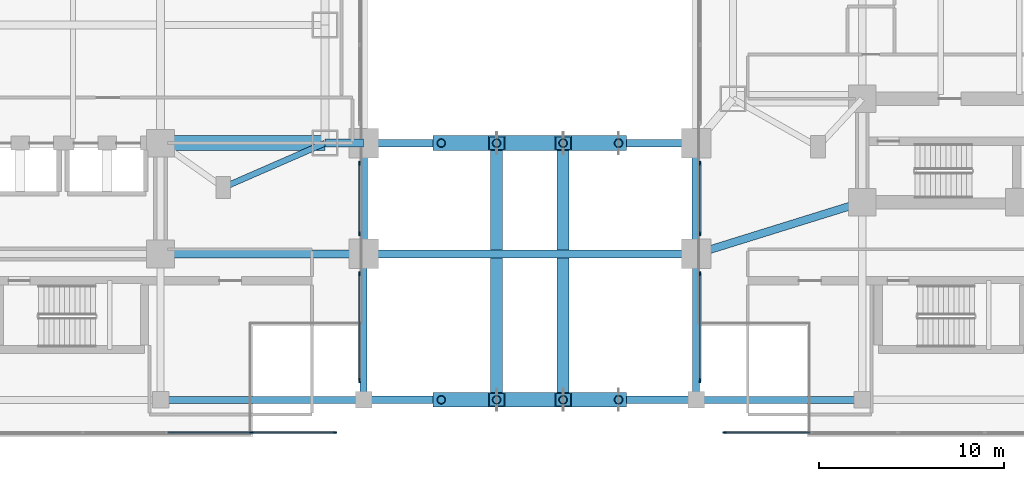
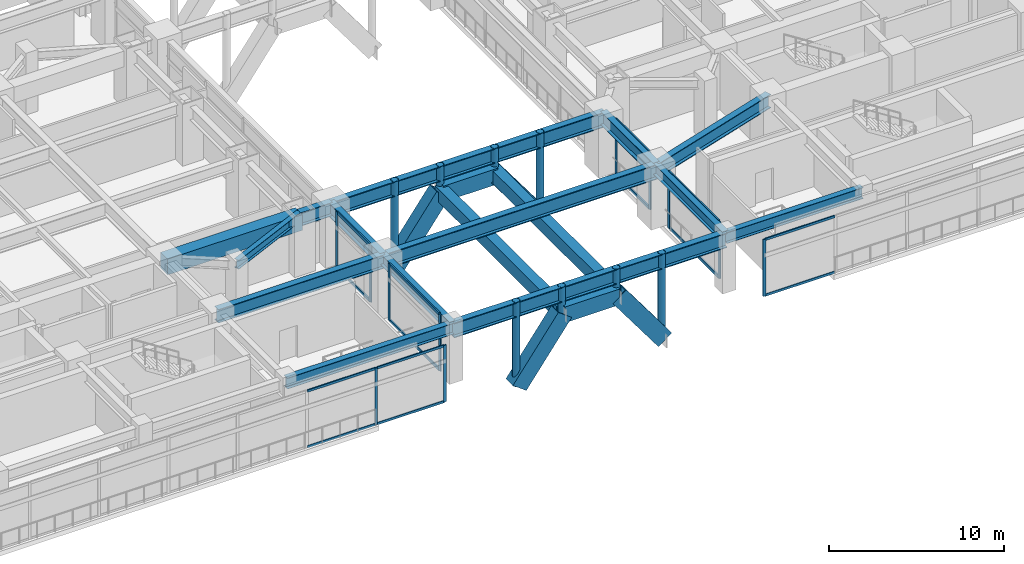
# One storey, part 4 of 30: 41 members, 14 beams, 6 elements without a shape of their own.
"""IFC4 building model written with IfcOpenShell, lengths in metres."""

import ifcopenshell
import ifcopenshell.guid

model = None  # the IFC model being written
_history = None  # IfcOwnerHistory: only IFC2X3 demands one
_inside = {}  # id of a spatial element -> (the spatial element, [elements in it])
_under = {}  # id of a project, library or spatial element -> (it, [spatial elements below it])
_declared = {}  # id of a project -> (the project, [libraries it declares])
_typed = {}  # id of a type object -> (the type object, [elements of that type])
_made_of = {}  # id of a material, layer set ... -> (it, [elements and type objects made of it])


def new_model(schema):
    """Start an empty IFC model of exactly this schema.

    Asked for "IFC4X3", IfcOpenShell would pick the latest addendum, in which some entities
    have other attributes; the version numbers below select the first issue.
    IFC2X3 requires an IfcOwnerHistory on every rooted entity: one is made here for all.
    """
    global model, _history
    if schema == "IFC4X3":
        model = ifcopenshell.file(schema_version=(4, 3, 0, 0))
    else:
        model = ifcopenshell.file(schema=schema)
    _inside.clear()
    _under.clear()
    _declared.clear()
    _typed.clear()
    _made_of.clear()
    _history = None
    if model.schema == "IFC2X3":
        org = make("IfcOrganization", Name="unknown")
        user = make(
            "IfcPersonAndOrganization",
            ThePerson=make("IfcPerson", FamilyName="unknown"),
            TheOrganization=org,
        )
        app = make(
            "IfcApplication",
            ApplicationDeveloper=org,
            Version="unknown",
            ApplicationFullName="unknown",
            ApplicationIdentifier="unknown",
        )
        _history = make(
            "IfcOwnerHistory",
            OwningUser=user,
            OwningApplication=app,
            ChangeAction="ADDED",
            CreationDate=0,
        )
    return model


def make(cls, **values):
    """One entity of the class cls with the attributes given. An attribute that is None is left unset."""
    return model.create_entity(
        cls, **{name: value for name, value in values.items() if value is not None}
    )


def rooted(cls, **values):
    """An entity with a GlobalId (a new one), such as an element, a storey or a relation."""
    return make(cls, GlobalId=ifcopenshell.guid.new(), OwnerHistory=_history, **values)


def si_unit(unit_type, name, prefix=None):
    """IfcSIUnit, for example si_unit("LENGTHUNIT", "METRE", prefix="MILLI")."""
    return make("IfcSIUnit", UnitType=unit_type, Prefix=prefix, Name=name)


def assignment(units):
    """IfcUnitAssignment: the units of a project."""
    return None if units is None else make("IfcUnitAssignment", Units=units)


def point(xyz):
    """IfcCartesianPoint."""
    return None if xyz is None else make("IfcCartesianPoint", Coordinates=xyz)


def direction(xyz):
    """IfcDirection."""
    return None if xyz is None else make("IfcDirection", DirectionRatios=xyz)


def frame(location, z_axis=None, x_axis=None):
    """IfcAxis2Placement3D, a coordinate frame: its origin and axes. An axis left out is left unset."""
    return make(
        "IfcAxis2Placement3D",
        Location=point(location),
        Axis=direction(z_axis),
        RefDirection=direction(x_axis),
    )


def frame_2d(location, x_axis=None):
    """IfcAxis2Placement2D, a coordinate frame in the plane: its origin and x axis."""
    return make(
        "IfcAxis2Placement2D", Location=point(location), RefDirection=direction(x_axis)
    )


def origin():
    """The frame at (0, 0, 0) with its axes left unset."""
    return frame((0.0, 0.0, 0.0))


def origin_2d():
    """The frame at (0, 0) in the plane with its x axis left unset."""
    return frame_2d((0.0, 0.0))


def place(relative_to, where):
    """IfcLocalPlacement: puts the frame where relative to a parent placement (None: the world)."""
    return make(
        "IfcLocalPlacement", PlacementRelTo=relative_to, RelativePlacement=where
    )


def context(
    kind, dimensions, precision=None, world=None, true_north=None, identifier=None
):
    """IfcGeometricRepresentationContext, for example the 3D "Model" context."""
    return make(
        "IfcGeometricRepresentationContext",
        ContextIdentifier=identifier,
        ContextType=kind,
        CoordinateSpaceDimension=dimensions,
        Precision=precision,
        WorldCoordinateSystem=world,
        TrueNorth=true_north,
    )


def subcontext(parent, identifier, kind, view, scale=None):
    """IfcGeometricRepresentationSubContext, for example "Body" below "Model"."""
    return make(
        "IfcGeometricRepresentationSubContext",
        ContextIdentifier=identifier,
        ContextType=kind,
        ParentContext=parent,
        TargetScale=scale,
        TargetView=view,
    )


def project(units=None, contexts=None):
    """IfcProject with its units and contexts."""
    return rooted(
        "IfcProject",
        Name="project",
        RepresentationContexts=contexts,
        UnitsInContext=assignment(units),
    )


def spatial(cls, under=None, at=None, **own):
    """A site, building, storey or space (cls), placed at a placement, below another one or the project."""
    s = rooted(cls, ObjectPlacement=at, **own)
    if under is not None:
        _under.setdefault(under.id(), (under, []))[1].append(s)
    return s


def profile(cls, at=None, kind="AREA", **sizes):
    """A parametric profile (cls). Its sizes go by their IFC names, for example OverallWidth=200.0."""
    return make(cls, ProfileType=kind, Position=at, **sizes)


def rectangle(**sizes):
    """IfcRectangleProfileDef."""
    return profile("IfcRectangleProfileDef", **sizes)


def hollow_rectangle(**sizes):
    """IfcRectangleHollowProfileDef."""
    return profile("IfcRectangleHollowProfileDef", **sizes)


def hollow_circle(**sizes):
    """IfcCircleHollowProfileDef."""
    return profile("IfcCircleHollowProfileDef", **sizes)


def i_section(**sizes):
    """IfcIShapeProfileDef."""
    return profile("IfcIShapeProfileDef", **sizes)


def extrude(swept, where, along, depth):
    """IfcExtrudedAreaSolid: the profile swept, set in the frame where, extruded along a direction by depth."""
    return make(
        "IfcExtrudedAreaSolid",
        SweptArea=swept,
        Position=where,
        ExtrudedDirection=direction(along),
        Depth=depth,
    )


def shape(context_of_items, identifier, shape_type, items):
    """IfcShapeRepresentation: the items that make up one representation, for example the "Body"."""
    return make(
        "IfcShapeRepresentation",
        ContextOfItems=context_of_items,
        RepresentationIdentifier=identifier,
        RepresentationType=shape_type,
        Items=items,
    )


def material(Name=None, Category=None):
    """IfcMaterial."""
    return make("IfcMaterial", Name=Name, Category=Category)


def material_profile(
    of_material, cross_section, Name=None, Category=None, Priority=None
):
    """IfcMaterialProfile: a cross section and its material."""
    return make(
        "IfcMaterialProfile",
        Name=Name,
        Material=of_material,
        Profile=cross_section,
        Priority=Priority,
        Category=Category,
    )


def profile_set(profiles, Name=None, composite=None):
    """IfcMaterialProfileSet."""
    return make(
        "IfcMaterialProfileSet",
        Name=Name,
        MaterialProfiles=profiles,
        CompositeProfile=composite,
    )


def made_of(thing, what):
    """Note that an element or type object is made of a material, layer set ...; save() writes the relation."""
    if what is not None:
        _made_of.setdefault(what.id(), (what, []))[1].append(thing)
    return thing


def type_object(cls, material=None, **own):
    """A type object (cls), such as IfcWallType, which elements share."""
    return made_of(rooted(cls, **own), material)


def element(
    cls,
    number,
    at=None,
    inside=None,
    cuts=None,
    type_object=None,
    material=None,
    context=None,
    identifier="Body",
    shape_type=None,
    held_by="IfcProductDefinitionShape",
    body=None,
    shapes=None,
    **own,
):
    """One element of the class cls, such as IfcWall. Its Tag is "e" and its number.

    at: its placement. inside: the storey or other place that contains it. cuts: it is an
    opening in that element (IfcRelVoidsElement). A single representation is given by context,
    identifier, shape_type and body (its items); several are given by shapes. held_by: the class
    of the entity that holds the representations. save() writes the other relations.
    """
    e = rooted(cls, Tag="e%d" % number, ObjectPlacement=at, **own)
    if body is not None:
        shapes = [shape(context, identifier, shape_type, body)]
    if shapes is not None:
        e.Representation = make(held_by, Representations=shapes)
    if inside is not None:
        _inside.setdefault(inside.id(), (inside, []))[1].append(e)
    if cuts is not None:
        rooted(
            "IfcRelVoidsElement", RelatingBuildingElement=cuts, RelatedOpeningElement=e
        )
    if type_object is not None:
        _typed.setdefault(type_object.id(), (type_object, []))[1].append(e)
    return made_of(e, material)


def aggregate(whole, parts):
    """IfcRelAggregates: a whole, such as a stair, and the parts it consists of."""
    return rooted("IfcRelAggregates", RelatingObject=whole, RelatedObjects=parts)


def save(model, path):
    """Write the relations noted so far, then the file.

    IfcRelAggregates (storeys below a building ...), IfcRelContainedInSpatialStructure (elements
    in a storey), IfcRelDefinesByType, IfcRelAssociatesMaterial and IfcRelDeclares: one each for
    every whole, place, type object, material and project.
    """
    for whole, parts in _under.values():
        aggregate(whole, parts)
    for where, things in _inside.values():
        rooted(
            "IfcRelContainedInSpatialStructure",
            RelatedElements=things,
            RelatingStructure=where,
        )
    for kind, things in _typed.values():
        rooted("IfcRelDefinesByType", RelatedObjects=things, RelatingType=kind)
    for what, things in _made_of.values():
        rooted("IfcRelAssociatesMaterial", RelatedObjects=things, RelatingMaterial=what)
    for by, libraries in _declared.values():
        rooted("IfcRelDeclares", RelatingContext=by, RelatedDefinitions=libraries)
    model.write(path)


model = new_model("IFC4")

# Units and contexts
model_context = context("Model", 3, precision=1e-05, world=origin(), true_north=direction((0.0, 1.0)))
body_context = subcontext(model_context, "Body", "Model", "MODEL_VIEW")
ifc_project = project(units=[si_unit("LENGTHUNIT", "METRE"), si_unit("AREAUNIT", "SQUARE_METRE"), si_unit("VOLUMEUNIT", "CUBIC_METRE"), si_unit("PLANEANGLEUNIT", "RADIAN"), si_unit("MASSUNIT", "GRAM", prefix="KILO")], contexts=[model_context])

# Site, building, storey
site_placement = place(None, origin())
site = spatial("IfcSite", under=ifc_project, at=site_placement, CompositionType="ELEMENT")
building_placement = place(site_placement, origin())
building = spatial("IfcBuilding", under=site, at=building_placement, Name="Mirazonda Arch Towers", CompositionType="ELEMENT")
storey_placement = place(building_placement, frame((0.0, 0.0, 9.5)))
storey = spatial("IfcBuildingStorey", under=building, at=storey_placement, Name="L02", CompositionType="ELEMENT", Elevation=9.5)

# Beams
ifc_material_1 = material(Name="Steel ASTM A992 Grade 50", Category="steel")
ifc_material_profile_1 = material_profile(ifc_material_1, i_section(OverallWidth=0.381103515625, OverallDepth=0.77294921875, WebThickness=0.0166015625, FlangeThickness=0.027099609375, at=origin_2d()), Name="W30X173")
ifc_profile_set_1 = profile_set([ifc_material_profile_1], Name="Steel ASTM A992 Grade 50")
beam_type_1 = type_object("IfcBeamType", Name="BM-EXT-W30X173", PredefinedType="USERDEFINED", material=ifc_profile_set_1)
beam_1_placement = place(storey_placement, frame((30.0, 4.5, 3.593505859375), z_axis=(1.0, 0.0, 0.0), x_axis=(0.0, 1.0, 0.0)))
element("IfcBeam", 1, at=beam_1_placement, inside=storey, type_object=beam_type_1, Name="L02 Floor Beam BM-POD-L02-PS-3", ObjectType="GIRDER", PredefinedType="USERDEFINED", context=body_context, shape_type="SweptSolid", body=[
    extrude(i_section(OverallWidth=0.381103515625, OverallDepth=0.77294921875, WebThickness=0.0166015625, FlangeThickness=0.027099609375, at=origin_2d()), origin(), (0.0, 0.0, 1.0), 11.0),
])
beam_2_placement = place(storey_placement, frame((59.0, 4.5, 3.593505859375), z_axis=(1.0, 0.0, 0.0), x_axis=(0.0, 1.0, 0.0)))
element("IfcBeam", 2, at=beam_2_placement, inside=storey, type_object=beam_type_1, Name="L02 Floor Beam BM-POD-L02-PS-4", ObjectType="GIRDER", PredefinedType="USERDEFINED", context=body_context, shape_type="SweptSolid", body=[
    extrude(i_section(OverallWidth=0.381103515625, OverallDepth=0.77294921875, WebThickness=0.0166015625, FlangeThickness=0.027099609375, at=origin_2d()), origin(), (0.0, 0.0, 1.0), 9.0),
])
ifc_material_profile_2 = material_profile(ifc_material_1, i_section(OverallWidth=0.423095703125, OverallDepth=0.947998046875, WebThickness=0.02392578125, FlangeThickness=0.042724609375, at=origin_2d()), Name="W36X302")
ifc_profile_set_2 = profile_set([ifc_material_profile_2], Name="Steel ASTM A992 Grade 50")
beam_type_2 = type_object("IfcBeamType", Name="BM-EXT-W36X302", PredefinedType="USERDEFINED", material=ifc_profile_set_2)
for number, where, z_axis, x_axis, name in (
    (3, (41.0, 12.39990234375, 3.506103515625), (0.0, 1.0, 0.0), (-1.0, 0.0, 0.0), "L02 Floor Beam BM-POD-L02-PA-WL1"),
    (4, (59.0, 12.39990234375, 3.506103515625), (0.0, 1.0, 0.0), (-1.0, 0.0, 0.0), "L02 Floor Beam BM-POD-L02-PA-EL1"),
):
    element("IfcBeam", number, at=place(storey_placement, frame(where, z_axis=z_axis, x_axis=x_axis)), inside=storey, type_object=beam_type_2, Name=name, ObjectType="GIRDER", PredefinedType="USERDEFINED", context=body_context, shape_type="SweptSolid", body=[
        extrude(i_section(OverallWidth=0.423095703125, OverallDepth=0.947998046875, WebThickness=0.02392578125, FlangeThickness=0.042724609375, at=origin_2d()), origin(), (0.0, 0.0, 1.0), 6.0),
    ])
ifc_material_profile_3 = material_profile(ifc_material_1, i_section(OverallWidth=0.419921875, OverallDepth=1.0400390625, WebThickness=0.031005859375, FlangeThickness=0.055908203125, at=origin_2d()), Name="W40X397")
ifc_profile_set_3 = profile_set([ifc_material_profile_3], Name="Steel ASTM A992 Grade 50")
beam_type_3 = type_object("IfcBeamType", Name="BM-EXT-W40X397", PredefinedType="USERDEFINED", material=ifc_profile_set_3)
beam_3_placement = place(storey_placement, frame((41.0, 4.5, 3.4599609375), z_axis=(1.0, 0.0, 0.0), x_axis=(0.0, 1.0, 0.0)))
element("IfcBeam", 5, at=beam_3_placement, inside=storey, type_object=beam_type_3, Name="L02 Floor Beam BM-POD-L02-PARCH-1", ObjectType="GIRDER", PredefinedType="USERDEFINED", context=body_context, shape_type="SweptSolid", body=[
    extrude(i_section(OverallWidth=0.419921875, OverallDepth=1.0400390625, WebThickness=0.031005859375, FlangeThickness=0.055908203125, at=origin_2d()), origin(), (0.0, 0.0, 1.0), 18.0),
])
ifc_material_profile_4 = material_profile(ifc_material_1, i_section(OverallWidth=0.324951171875, OverallDepth=0.615966796875, WebThickness=0.013916015625, FlangeThickness=0.021484375, at=origin_2d()), Name="W24X117")
ifc_profile_set_4 = profile_set([ifc_material_profile_4], Name="Steel ASTM A992 Grade 50")
beam_type_4 = type_object("IfcBeamType", Name="BM-INT-W24X117", PredefinedType="BEAM", material=ifc_profile_set_4)
beam_4_placement = place(storey_placement, frame((33.39990234375, 16.0, 3.672119140625), z_axis=(0.916545343703, 0.399930785183, 0.0), x_axis=(-0.399930785183, 0.916545343703, 0.0)))
element("IfcBeam", 6, at=beam_4_placement, inside=storey, type_object=beam_type_4, Name="L02 Floor Beam BM-T1-L02-PL-SE2", PredefinedType="BEAM", context=body_context, shape_type="SweptSolid", body=[
    extrude(i_section(OverallWidth=0.324951171875, OverallDepth=0.615966796875, WebThickness=0.013916015625, FlangeThickness=0.021484375, at=origin_2d()), origin(), (0.0, 0.0, 1.0), 6.000732421875),
])
ifc_material_profile_5 = material_profile(ifc_material_1, i_section(OverallWidth=0.381103515625, OverallDepth=0.77294921875, WebThickness=0.0166015625, FlangeThickness=0.027099609375, at=origin_2d()), Name="W30X173")
ifc_profile_set_5 = profile_set([ifc_material_profile_5], Name="Steel ASTM A992 Grade 50")
beam_type_5 = type_object("IfcBeamType", Name="BM-INT-W30X173", PredefinedType="USERDEFINED", material=ifc_profile_set_5)
for number, where, z_axis, x_axis, name in (
    (7, (41.0, 4.5, 3.593505859375), (0.0, 1.0, 0.0), (-1.0, 0.0, 0.0), "L02 Floor Beam BM-POD-L02-PCS-4"),
    (8, (59.0, 4.5, 3.593505859375), (0.0, 1.0, 0.0), (-1.0, 0.0, 0.0), "L02 Floor Beam BM-POD-L02-PCS-5"),
):
    element("IfcBeam", number, at=place(storey_placement, frame(where, z_axis=z_axis, x_axis=x_axis)), inside=storey, type_object=beam_type_5, Name=name, ObjectType="GIRDER", PredefinedType="USERDEFINED", context=body_context, shape_type="SweptSolid", body=[
        extrude(i_section(OverallWidth=0.381103515625, OverallDepth=0.77294921875, WebThickness=0.0166015625, FlangeThickness=0.027099609375, at=origin_2d()), origin(), (0.0, 0.0, 1.0), 7.89990234375),
    ])
ifc_material_profile_6 = material_profile(ifc_material_1, i_section(OverallWidth=0.423095703125, OverallDepth=0.947998046875, WebThickness=0.02392578125, FlangeThickness=0.042724609375, at=origin_2d()), Name="W36X302")
ifc_profile_set_6 = profile_set([ifc_material_profile_6], Name="Steel ASTM A992 Grade 50")
beam_type_6 = type_object("IfcBeamType", Name="BM-INT-W36X302", PredefinedType="USERDEFINED", material=ifc_profile_set_6)
beam_5_placement = place(storey_placement, frame((30.0, 12.39990234375, 3.506103515625), z_axis=(1.0, 0.0, 0.0), x_axis=(0.0, 1.0, 0.0)))
element("IfcBeam", 9, at=beam_5_placement, inside=storey, type_object=beam_type_6, Name="L02 Floor Beam BM-POD-L02-PA-W1", ObjectType="GIRDER", PredefinedType="USERDEFINED", context=body_context, shape_type="SweptSolid", body=[
    extrude(i_section(OverallWidth=0.423095703125, OverallDepth=0.947998046875, WebThickness=0.02392578125, FlangeThickness=0.042724609375, at=origin_2d()), origin(), (0.0, 0.0, 1.0), 11.0),
])
beam_6_placement = place(storey_placement, frame((38.89990234375, 18.39990234375, 3.506103515625), z_axis=(1.0, 0.0, 0.0), x_axis=(0.0, 1.0, 0.0)))
element("IfcBeam", 10, at=beam_6_placement, inside=storey, type_object=beam_type_6, Name="L02 Floor Beam BM-POD-L02-PA-W2", ObjectType="GIRDER", PredefinedType="USERDEFINED", context=body_context, shape_type="SweptSolid", body=[
    extrude(i_section(OverallWidth=0.423095703125, OverallDepth=0.947998046875, WebThickness=0.02392578125, FlangeThickness=0.042724609375, at=origin_2d()), origin(), (0.0, 0.0, 1.0), 2.10009765625),
])
beam_7_placement = place(storey_placement, frame((59.0, 12.39990234375, 3.506103515625), z_axis=(0.954855306861, 0.29707127589, 0.0), x_axis=(-0.29707127589, 0.954855306861, 0.0)))
element("IfcBeam", 11, at=beam_7_placement, inside=storey, type_object=beam_type_6, Name="L02 Floor Beam BM-POD-L02-PA-E1", ObjectType="GIRDER", PredefinedType="USERDEFINED", context=body_context, shape_type="SweptSolid", body=[
    extrude(i_section(OverallWidth=0.423095703125, OverallDepth=0.947998046875, WebThickness=0.02392578125, FlangeThickness=0.042724609375, at=origin_2d()), origin(), (0.0, 0.0, 1.0), 9.425537109375),
])
ifc_material_profile_7 = material_profile(ifc_material_1, i_section(OverallWidth=0.419921875, OverallDepth=1.0400390625, WebThickness=0.031005859375, FlangeThickness=0.055908203125, at=origin_2d()), Name="W40X397")
ifc_profile_set_7 = profile_set([ifc_material_profile_7], Name="Steel ASTM A992 Grade 50")
beam_type_7 = type_object("IfcBeamType", Name="BM-INT-W40X397", PredefinedType="USERDEFINED", material=ifc_profile_set_7)
for number, where, z_axis, x_axis, name in (
    (12, (41.0, 12.39990234375, 3.4599609375), (1.0, 0.0, 0.0), (0.0, 1.0, 0.0), "L02 Floor Beam BM-POD-L02-PARCH-2"),
    (13, (41.0, 18.39990234375, 3.4599609375), (1.0, 0.0, 0.0), (0.0, 1.0, 0.0), "L02 Floor Beam BM-POD-L02-PARCH-3"),
):
    element("IfcBeam", number, at=place(storey_placement, frame(where, z_axis=z_axis, x_axis=x_axis)), inside=storey, type_object=beam_type_7, Name=name, ObjectType="GIRDER", PredefinedType="USERDEFINED", context=body_context, shape_type="SweptSolid", body=[
        extrude(i_section(OverallWidth=0.419921875, OverallDepth=1.0400390625, WebThickness=0.031005859375, FlangeThickness=0.055908203125, at=origin_2d()), origin(), (0.0, 0.0, 1.0), 18.0),
    ])
ifc_material_2 = material(Name="Concrete C60/75", Category="concrete")
ifc_material_profile_8 = material_profile(ifc_material_2, rectangle(XDim=0.800048828125, YDim=1.10009765625, at=origin_2d()), Name="RCCB800x1100")
ifc_profile_set_8 = profile_set([ifc_material_profile_8], Name="Concrete C60/75")
beam_type_8 = type_object("IfcBeamType", Name="CB-INT-RCCB800x1100", PredefinedType="SPANDREL", material=ifc_profile_set_8)
beam_8_placement = place(storey_placement, frame((30.0, 18.39990234375, 3.429931640625), z_axis=(1.0, 0.0, 0.0), x_axis=(0.0, 1.0, 0.0)))
element("IfcBeam", 14, at=beam_8_placement, inside=storey, type_object=beam_type_8, Name="L02 Floor Beam CB-T1-L02-SE", PredefinedType="SPANDREL", context=body_context, shape_type="SweptSolid", body=[
    extrude(rectangle(XDim=0.800048828125, YDim=1.10009765625, at=origin_2d()), origin(), (0.0, 0.0, 1.0), 8.89990234375),
])

# Members
ifc_material_3 = material(Name="Steel ASTM A572 Grade 50", Category="steel")
ifc_material_profile_9 = material_profile(ifc_material_3, hollow_rectangle(XDim=0.800048828125, YDim=1.10009765625, WallThickness=0.06005859375, at=origin_2d()), Name="ARCHBOX1100x800x60")
ifc_profile_set_9 = profile_set([ifc_material_profile_9], Name="Steel ASTM A572 Grade 50")
member_type_1 = type_object("IfcMemberType", Name="MBR-EXT-ARCHBOX1100x800x60", PredefinedType="CHORD", material=ifc_profile_set_9)
member_1_placement = place(storey_placement, frame((45.199951171875, 4.5, -1.89990234375), z_axis=(0.595246086003, 0.0, 0.803543463104), x_axis=(0.0, 1.0, 0.0)))
element("IfcMember", 15, at=member_1_placement, inside=storey, type_object=member_type_1, Name="Podium Parabolic Arch Rib 1 Chord 2", PredefinedType="CHORD", context=body_context, shape_type="SweptSolid", body=[
    extrude(hollow_rectangle(XDim=0.800048828125, YDim=1.10009765625, WallThickness=0.06005859375, at=origin_2d()), origin(), (0.0, 0.0, 1.0), 5.0400390625),
])
member_2_placement = place(storey_placement, frame((48.199951171875, 4.5, 2.14990234375), z_axis=(1.0, 0.0, 0.0), x_axis=(0.0, 1.0, 0.0)))
element("IfcMember", 16, at=member_2_placement, inside=storey, type_object=member_type_1, Name="Podium Parabolic Arch Rib 1 Chord 3", PredefinedType="CHORD", context=body_context, shape_type="SweptSolid", body=[
    extrude(hollow_rectangle(XDim=0.800048828125, YDim=1.10009765625, WallThickness=0.06005859375, at=origin_2d()), origin(), (0.0, 0.0, 1.0), 3.60009765625),
])
member_3_placement = place(storey_placement, frame((51.800048828125, 4.5, 2.14990234375), z_axis=(0.595246086003, 0.0, -0.803543463104), x_axis=(0.0, 1.0, 0.0)))
element("IfcMember", 17, at=member_3_placement, inside=storey, type_object=member_type_1, Name="Podium Parabolic Arch Rib 1 Chord 4", PredefinedType="CHORD", context=body_context, shape_type="SweptSolid", body=[
    extrude(hollow_rectangle(XDim=0.800048828125, YDim=1.10009765625, WallThickness=0.06005859375, at=origin_2d()), origin(), (0.0, 0.0, 1.0), 5.0400390625),
])
ifc_material_profile_10 = material_profile(ifc_material_3, hollow_rectangle(XDim=0.64990234375, YDim=0.89990234375, WallThickness=0.050048828125, at=origin_2d()), Name="ARCHBOX900x650x50")
ifc_profile_set_10 = profile_set([ifc_material_profile_10], Name="Steel ASTM A572 Grade 50")
member_type_2 = type_object("IfcMemberType", Name="MBR-EXT-ARCHBOX900x650x50", PredefinedType="BRACE", material=ifc_profile_set_10)
for number, where, z_axis, x_axis, name in (
    (18, (48.199951171875, 4.5, 2.14990234375), (0.0, 1.0, 0.0), (-1.0, 0.0, 0.0), "Podium Arch Transverse Brace S-2"),
    (19, (51.800048828125, 4.5, 2.14990234375), (0.0, 1.0, 0.0), (-1.0, 0.0, 0.0), "Podium Arch Transverse Brace S-3"),
):
    element("IfcMember", number, at=place(storey_placement, frame(where, z_axis=z_axis, x_axis=x_axis)), inside=storey, type_object=member_type_2, Name=name, PredefinedType="BRACE", context=body_context, shape_type="SweptSolid", body=[
        extrude(hollow_rectangle(XDim=0.64990234375, YDim=0.89990234375, WallThickness=0.050048828125, at=origin_2d()), origin(), (0.0, 0.0, 1.0), 13.89990234375),
    ])
ifc_material_profile_11 = material_profile(ifc_material_3, hollow_rectangle(XDim=0.800048828125, YDim=1.10009765625, WallThickness=0.06005859375, at=origin_2d()), Name="ARCHBOX1100x800x60")
ifc_profile_set_11 = profile_set([ifc_material_profile_11], Name="Steel ASTM A572 Grade 50")
member_type_3 = type_object("IfcMemberType", Name="MBR-INT-ARCHBOX1100x800x60", PredefinedType="CHORD", material=ifc_profile_set_11)
member_4_placement = place(storey_placement, frame((45.199951171875, 18.39990234375, -1.89990234375), z_axis=(0.595246086003, 0.0, 0.803543463104), x_axis=(0.0, 1.0, 0.0)))
element("IfcMember", 20, at=member_4_placement, inside=storey, type_object=member_type_3, Name="Podium Parabolic Arch Rib 2 Chord 2", PredefinedType="CHORD", context=body_context, shape_type="SweptSolid", body=[
    extrude(hollow_rectangle(XDim=0.800048828125, YDim=1.10009765625, WallThickness=0.06005859375, at=origin_2d()), origin(), (0.0, 0.0, 1.0), 5.0400390625),
])
member_5_placement = place(storey_placement, frame((48.199951171875, 18.39990234375, 2.14990234375), z_axis=(1.0, 0.0, 0.0), x_axis=(0.0, 1.0, 0.0)))
element("IfcMember", 21, at=member_5_placement, inside=storey, type_object=member_type_3, Name="Podium Parabolic Arch Rib 2 Chord 3", PredefinedType="CHORD", context=body_context, shape_type="SweptSolid", body=[
    extrude(hollow_rectangle(XDim=0.800048828125, YDim=1.10009765625, WallThickness=0.06005859375, at=origin_2d()), origin(), (0.0, 0.0, 1.0), 3.60009765625),
])
member_6_placement = place(storey_placement, frame((51.800048828125, 18.39990234375, 2.14990234375), z_axis=(0.595246086003, 0.0, -0.803543463104), x_axis=(0.0, 1.0, 0.0)))
element("IfcMember", 22, at=member_6_placement, inside=storey, type_object=member_type_3, Name="Podium Parabolic Arch Rib 2 Chord 4", PredefinedType="CHORD", context=body_context, shape_type="SweptSolid", body=[
    extrude(hollow_rectangle(XDim=0.800048828125, YDim=1.10009765625, WallThickness=0.06005859375, at=origin_2d()), origin(), (0.0, 0.0, 1.0), 5.0400390625),
])
ifc_material_profile_12 = material_profile(ifc_material_3, hollow_circle(Radius=0.228515625, WallThickness=0.02197265625, at=origin_2d()), Name="BELTSTRUT457x22CHS")
ifc_profile_set_12 = profile_set([ifc_material_profile_12], Name="Steel ASTM A572 Grade 50")
member_type_4 = type_object("IfcMemberType", Name="MBR-INT-BELTSTRUT457x22CHS", PredefinedType="STRUT", material=ifc_profile_set_12)
member_7_placement = place(storey_placement, frame((45.199951171875, 4.5, -1.89990234375), z_axis=(0.0, 0.0, 1.0), x_axis=(1.0, 0.0, 0.0)))
element("IfcMember", 23, at=member_7_placement, inside=storey, type_object=member_type_4, Name="Arch Spandrel Post R1-1", PredefinedType="STRUT", context=body_context, shape_type="SweptSolid", body=[
    extrude(hollow_circle(Radius=0.228515625, WallThickness=0.02197265625, at=origin_2d()), origin(), (0.0, 0.0, 1.0), 5.8798828125),
])
for number, where, z_axis, x_axis, name in (
    (24, (48.199951171875, 4.5, 2.14990234375), (0.0, 0.0, 1.0), (1.0, 0.0, 0.0), "Arch Spandrel Post R1-2"),
    (25, (51.800048828125, 4.5, 2.14990234375), (0.0, 0.0, 1.0), (1.0, 0.0, 0.0), "Arch Spandrel Post R1-3"),
):
    element("IfcMember", number, at=place(storey_placement, frame(where, z_axis=z_axis, x_axis=x_axis)), inside=storey, type_object=member_type_4, Name=name, PredefinedType="STRUT", context=body_context, shape_type="SweptSolid", body=[
        extrude(hollow_circle(Radius=0.228515625, WallThickness=0.02197265625, at=origin_2d()), origin(), (0.0, 0.0, 1.0), 1.830078125),
    ])
for number, where, z_axis, x_axis, name in (
    (26, (54.800048828125, 4.5, -1.89990234375), (0.0, 0.0, 1.0), (1.0, 0.0, 0.0), "Arch Spandrel Post R1-4"),
    (27, (45.199951171875, 18.39990234375, -1.89990234375), (0.0, 0.0, 1.0), (1.0, 0.0, 0.0), "Arch Spandrel Post R2-1"),
):
    element("IfcMember", number, at=place(storey_placement, frame(where, z_axis=z_axis, x_axis=x_axis)), inside=storey, type_object=member_type_4, Name=name, PredefinedType="STRUT", context=body_context, shape_type="SweptSolid", body=[
        extrude(hollow_circle(Radius=0.228515625, WallThickness=0.02197265625, at=origin_2d()), origin(), (0.0, 0.0, 1.0), 5.8798828125),
    ])
for number, where, z_axis, x_axis, name in (
    (28, (48.199951171875, 18.39990234375, 2.14990234375), (0.0, 0.0, 1.0), (1.0, 0.0, 0.0), "Arch Spandrel Post R2-2"),
    (29, (51.800048828125, 18.39990234375, 2.14990234375), (0.0, 0.0, 1.0), (1.0, 0.0, 0.0), "Arch Spandrel Post R2-3"),
):
    element("IfcMember", number, at=place(storey_placement, frame(where, z_axis=z_axis, x_axis=x_axis)), inside=storey, type_object=member_type_4, Name=name, PredefinedType="STRUT", context=body_context, shape_type="SweptSolid", body=[
        extrude(hollow_circle(Radius=0.228515625, WallThickness=0.02197265625, at=origin_2d()), origin(), (0.0, 0.0, 1.0), 1.830078125),
    ])
member_8_placement = place(storey_placement, frame((54.800048828125, 18.39990234375, -1.89990234375), z_axis=(0.0, 0.0, 1.0), x_axis=(1.0, 0.0, 0.0)))
element("IfcMember", 30, at=member_8_placement, inside=storey, type_object=member_type_4, Name="Arch Spandrel Post R2-4", PredefinedType="STRUT", context=body_context, shape_type="SweptSolid", body=[
    extrude(hollow_circle(Radius=0.228515625, WallThickness=0.02197265625, at=origin_2d()), origin(), (0.0, 0.0, 1.0), 5.8798828125),
])

# Curtain wall, members
ifc_material_4 = material(Name="Anodised Aluminium and Low-E Glass", Category="aluminium")
curtain_wall_type_1 = type_object("IfcCurtainWallType", Name="CW-ARCH-GLAZE", PredefinedType="NOTDEFINED", material=ifc_material_4)
curtain_wall_1_placement = place(storey_placement, origin())
curtain_wall_1 = element("IfcCurtainWall", 31, at=curtain_wall_1_placement, inside=storey, type_object=curtain_wall_type_1, Name="L02 Curtain Wall CW-L02-AW-S3", PredefinedType="NOTDEFINED")
ifc_material_5 = material(Name="Anodised Aluminium Alloy", Category="aluminium")
ifc_material_profile_13 = material_profile(ifc_material_5, rectangle(XDim=0.090087890625, YDim=0.219970703125, at=origin_2d()), Name="ALU-MULL-90x220")
ifc_profile_set_13 = profile_set([ifc_material_profile_13], Name="Anodised Aluminium Alloy")
member_type_5 = type_object("IfcMemberType", Name="MULL-CW-ARCH-GLAZE", PredefinedType="MULLION", material=ifc_profile_set_13)
member_9_placement = place(storey_placement, frame((40.780029296875, 17.31494140625, 0.0), z_axis=(0.0, 0.0, 1.0), x_axis=(1.0, 0.0, 0.0)))
member_9 = element("IfcMember", 32, at=member_9_placement, type_object=member_type_5, Name="CW-106 mullion 1", PredefinedType="MULLION", context=body_context, shape_type="SweptSolid", body=[
    extrude(rectangle(XDim=0.090087890625, YDim=0.219970703125, at=origin_2d()), origin(), (0.0, 0.0, 1.0), 3.9599609375),
])
member_10_placement = place(storey_placement, frame((40.780029296875, 13.485107421875, 0.0), z_axis=(0.0, 0.0, 1.0), x_axis=(1.0, 0.0, 0.0)))
member_10 = element("IfcMember", 33, at=member_10_placement, type_object=member_type_5, Name="CW-106 mullion 2", PredefinedType="MULLION", context=body_context, shape_type="SweptSolid", body=[
    extrude(rectangle(XDim=0.090087890625, YDim=0.219970703125, at=origin_2d()), origin(), (0.0, 0.0, 1.0), 3.9599609375),
])

curtain_wall_2_placement = place(storey_placement, origin())
curtain_wall_2 = element("IfcCurtainWall", 34, at=curtain_wall_2_placement, inside=storey, type_object=curtain_wall_type_1, Name="L02 Curtain Wall CW-L02-AW-S4", PredefinedType="NOTDEFINED")
member_11_placement = place(storey_placement, frame((40.780029296875, 11.31494140625, 0.0), z_axis=(0.0, 0.0, 1.0), x_axis=(1.0, 0.0, 0.0)))
member_11 = element("IfcMember", 35, at=member_11_placement, type_object=member_type_5, Name="CW-106 mullion 1", PredefinedType="MULLION", context=body_context, shape_type="SweptSolid", body=[
    extrude(rectangle(XDim=0.090087890625, YDim=0.219970703125, at=origin_2d()), origin(), (0.0, 0.0, 1.0), 3.9599609375),
])
member_12_placement = place(storey_placement, frame((40.780029296875, 5.544921875, 0.0), z_axis=(0.0, 0.0, 1.0), x_axis=(1.0, 0.0, 0.0)))
member_12 = element("IfcMember", 36, at=member_12_placement, type_object=member_type_5, Name="CW-106 mullion 2", PredefinedType="MULLION", context=body_context, shape_type="SweptSolid", body=[
    extrude(rectangle(XDim=0.090087890625, YDim=0.219970703125, at=origin_2d()), origin(), (0.0, 0.0, 1.0), 3.9599609375),
])

curtain_wall_3_placement = place(storey_placement, origin())
curtain_wall_3 = element("IfcCurtainWall", 37, at=curtain_wall_3_placement, inside=storey, type_object=curtain_wall_type_1, Name="L02 Curtain Wall CW-L02-AE-S1", PredefinedType="NOTDEFINED")
member_13_placement = place(storey_placement, frame((59.219970703125, 5.544921875, 0.0), z_axis=(0.0, 0.0, 1.0), x_axis=(-1.0, 0.0, 0.0)))
member_13 = element("IfcMember", 38, at=member_13_placement, type_object=member_type_5, Name="CW-106 mullion 1", PredefinedType="MULLION", context=body_context, shape_type="SweptSolid", body=[
    extrude(rectangle(XDim=0.090087890625, YDim=0.219970703125, at=origin_2d()), origin(), (0.0, 0.0, 1.0), 3.9599609375),
])
member_14_placement = place(storey_placement, frame((59.219970703125, 11.31494140625, 0.0), z_axis=(0.0, 0.0, 1.0), x_axis=(-1.0, 0.0, 0.0)))
member_14 = element("IfcMember", 39, at=member_14_placement, type_object=member_type_5, Name="CW-106 mullion 2", PredefinedType="MULLION", context=body_context, shape_type="SweptSolid", body=[
    extrude(rectangle(XDim=0.090087890625, YDim=0.219970703125, at=origin_2d()), origin(), (0.0, 0.0, 1.0), 3.9599609375),
])

curtain_wall_4_placement = place(storey_placement, origin())
curtain_wall_4 = element("IfcCurtainWall", 40, at=curtain_wall_4_placement, inside=storey, type_object=curtain_wall_type_1, Name="L02 Curtain Wall CW-L02-AE-S2", PredefinedType="NOTDEFINED")
member_15_placement = place(storey_placement, frame((59.219970703125, 13.485107421875, 0.0), z_axis=(0.0, 0.0, 1.0), x_axis=(-1.0, 0.0, 0.0)))
member_15 = element("IfcMember", 41, at=member_15_placement, type_object=member_type_5, Name="CW-106 mullion 1", PredefinedType="MULLION", context=body_context, shape_type="SweptSolid", body=[
    extrude(rectangle(XDim=0.090087890625, YDim=0.219970703125, at=origin_2d()), origin(), (0.0, 0.0, 1.0), 3.9599609375),
])
member_16_placement = place(storey_placement, frame((59.219970703125, 17.31494140625, 0.0), z_axis=(0.0, 0.0, 1.0), x_axis=(-1.0, 0.0, 0.0)))
member_16 = element("IfcMember", 42, at=member_16_placement, type_object=member_type_5, Name="CW-106 mullion 2", PredefinedType="MULLION", context=body_context, shape_type="SweptSolid", body=[
    extrude(rectangle(XDim=0.090087890625, YDim=0.219970703125, at=origin_2d()), origin(), (0.0, 0.0, 1.0), 3.9599609375),
])

curtain_wall_type_2 = type_object("IfcCurtainWallType", Name="CW-POD-STORE", PredefinedType="NOTDEFINED", material=ifc_material_4)
curtain_wall_5_placement = place(storey_placement, origin())
curtain_wall_5 = element("IfcCurtainWall", 43, at=curtain_wall_5_placement, inside=storey, type_object=curtain_wall_type_2, Name="L02 Curtain Wall CW-L02-WS", PredefinedType="NOTDEFINED")
ifc_material_profile_14 = material_profile(ifc_material_5, rectangle(XDim=0.080078125, YDim=0.179931640625, at=origin_2d()), Name="ALU-MULL-80x180")
ifc_profile_set_14 = profile_set([ifc_material_profile_14], Name="Anodised Aluminium Alloy")
member_type_6 = type_object("IfcMemberType", Name="MULL-CW-POD-STORE", PredefinedType="MULLION", material=ifc_profile_set_14)
member_17_placement = place(storey_placement, frame((39.4599609375, 2.719970703125, 0.0), z_axis=(0.0, 0.0, 1.0), x_axis=(0.0, -1.0, 0.0)))
member_17 = element("IfcMember", 44, at=member_17_placement, type_object=member_type_6, Name="CW-102 mullion 1", PredefinedType="MULLION", context=body_context, shape_type="SweptSolid", body=[
    extrude(rectangle(XDim=0.080078125, YDim=0.179931640625, at=origin_2d()), origin(), (0.0, 0.0, 1.0), 3.9599609375),
])
member_18_placement = place(storey_placement, frame((34.928466796875, 2.719970703125, 0.0), z_axis=(0.0, 0.0, 1.0), x_axis=(0.0, -1.0, 0.0)))
member_18 = element("IfcMember", 45, at=member_18_placement, type_object=member_type_6, Name="CW-102 mullion 2", PredefinedType="MULLION", context=body_context, shape_type="SweptSolid", body=[
    extrude(rectangle(XDim=0.080078125, YDim=0.179931640625, at=origin_2d()), origin(), (0.0, 0.0, 1.0), 3.9599609375),
])

# Curtain wall, member
curtain_wall_6_placement = place(storey_placement, origin())
curtain_wall_6 = element("IfcCurtainWall", 46, at=curtain_wall_6_placement, inside=storey, type_object=curtain_wall_type_2, Name="L02 Curtain Wall CW-L02-ES", PredefinedType="NOTDEFINED")
member_19_placement = place(storey_placement, frame((60.5400390625, 2.719970703125, 0.0), z_axis=(0.0, 0.0, 1.0), x_axis=(0.0, -1.0, 0.0)))
member_19 = element("IfcMember", 47, at=member_19_placement, type_object=member_type_6, Name="CW-102 mullion 8", PredefinedType="MULLION", context=body_context, shape_type="SweptSolid", body=[
    extrude(rectangle(XDim=0.080078125, YDim=0.179931640625, at=origin_2d()), origin(), (0.0, 0.0, 1.0), 3.9599609375),
])

# Member
ifc_material_profile_15 = material_profile(ifc_material_5, rectangle(XDim=0.090087890625, YDim=0.199951171875, at=origin_2d()), Name="ALU-TRAN-90x200")
ifc_profile_set_15 = profile_set([ifc_material_profile_15], Name="Anodised Aluminium Alloy")
member_type_7 = type_object("IfcMemberType", Name="TRAN-CW-ARCH-GLAZE", PredefinedType="USERDEFINED", material=ifc_profile_set_15)
member_20_placement = place(storey_placement, frame((40.780029296875, 17.27001953125, 0.044921875), z_axis=(0.0, -1.0, 0.0), x_axis=(1.0, 0.0, 0.0)))
member_20 = element("IfcMember", 48, at=member_20_placement, type_object=member_type_7, Name="CW-106 transom 1.1", ObjectType="TRANSOM", PredefinedType="USERDEFINED", context=body_context, shape_type="SweptSolid", body=[
    extrude(rectangle(XDim=0.090087890625, YDim=0.199951171875, at=origin_2d()), origin(), (0.0, 0.0, 1.0), 3.739990234375),
])

member_21_placement = place(storey_placement, frame((40.780029296875, 17.27001953125, 3.9150390625), z_axis=(0.0, -1.0, 0.0), x_axis=(1.0, 0.0, 0.0)))
member_21 = element("IfcMember", 49, at=member_21_placement, type_object=member_type_7, Name="CW-106 transom 1.2", ObjectType="TRANSOM", PredefinedType="USERDEFINED", context=body_context, shape_type="SweptSolid", body=[
    extrude(rectangle(XDim=0.090087890625, YDim=0.199951171875, at=origin_2d()), origin(), (0.0, 0.0, 1.0), 3.739990234375),
])

aggregate(curtain_wall_1, [member_9, member_10, member_20, member_21])

member_22_placement = place(storey_placement, frame((40.780029296875, 11.27001953125, 0.044921875), z_axis=(0.0, -1.0, 0.0), x_axis=(1.0, 0.0, 0.0)))
member_22 = element("IfcMember", 50, at=member_22_placement, type_object=member_type_7, Name="CW-106 transom 1.1", ObjectType="TRANSOM", PredefinedType="USERDEFINED", context=body_context, shape_type="SweptSolid", body=[
    extrude(rectangle(XDim=0.090087890625, YDim=0.199951171875, at=origin_2d()), origin(), (0.0, 0.0, 1.0), 5.679931640625),
])

member_23_placement = place(storey_placement, frame((40.780029296875, 11.27001953125, 3.9150390625), z_axis=(0.0, -1.0, 0.0), x_axis=(1.0, 0.0, 0.0)))
member_23 = element("IfcMember", 51, at=member_23_placement, type_object=member_type_7, Name="CW-106 transom 1.2", ObjectType="TRANSOM", PredefinedType="USERDEFINED", context=body_context, shape_type="SweptSolid", body=[
    extrude(rectangle(XDim=0.090087890625, YDim=0.199951171875, at=origin_2d()), origin(), (0.0, 0.0, 1.0), 5.679931640625),
])

aggregate(curtain_wall_2, [member_11, member_12, member_22, member_23])

member_24_placement = place(storey_placement, frame((59.219970703125, 5.590087890625, 0.044921875), z_axis=(0.0, 1.0, 0.0), x_axis=(-1.0, 0.0, 0.0)))
member_24 = element("IfcMember", 52, at=member_24_placement, type_object=member_type_7, Name="CW-106 transom 1.1", ObjectType="TRANSOM", PredefinedType="USERDEFINED", context=body_context, shape_type="SweptSolid", body=[
    extrude(rectangle(XDim=0.090087890625, YDim=0.199951171875, at=origin_2d()), origin(), (0.0, 0.0, 1.0), 5.679931640625),
])

member_25_placement = place(storey_placement, frame((59.219970703125, 5.590087890625, 3.9150390625), z_axis=(0.0, 1.0, 0.0), x_axis=(-1.0, 0.0, 0.0)))
member_25 = element("IfcMember", 53, at=member_25_placement, type_object=member_type_7, Name="CW-106 transom 1.2", ObjectType="TRANSOM", PredefinedType="USERDEFINED", context=body_context, shape_type="SweptSolid", body=[
    extrude(rectangle(XDim=0.090087890625, YDim=0.199951171875, at=origin_2d()), origin(), (0.0, 0.0, 1.0), 5.679931640625),
])

aggregate(curtain_wall_3, [member_13, member_14, member_24, member_25])

member_26_placement = place(storey_placement, frame((59.219970703125, 13.530029296875, 0.044921875), z_axis=(0.0, 1.0, 0.0), x_axis=(-1.0, 0.0, 0.0)))
member_26 = element("IfcMember", 54, at=member_26_placement, type_object=member_type_7, Name="CW-106 transom 1.1", ObjectType="TRANSOM", PredefinedType="USERDEFINED", context=body_context, shape_type="SweptSolid", body=[
    extrude(rectangle(XDim=0.090087890625, YDim=0.199951171875, at=origin_2d()), origin(), (0.0, 0.0, 1.0), 3.739990234375),
])

member_27_placement = place(storey_placement, frame((59.219970703125, 13.530029296875, 3.9150390625), z_axis=(0.0, 1.0, 0.0), x_axis=(-1.0, 0.0, 0.0)))
member_27 = element("IfcMember", 55, at=member_27_placement, type_object=member_type_7, Name="CW-106 transom 1.2", ObjectType="TRANSOM", PredefinedType="USERDEFINED", context=body_context, shape_type="SweptSolid", body=[
    extrude(rectangle(XDim=0.090087890625, YDim=0.199951171875, at=origin_2d()), origin(), (0.0, 0.0, 1.0), 3.739990234375),
])

aggregate(curtain_wall_4, [member_15, member_16, member_26, member_27])

ifc_material_profile_16 = material_profile(ifc_material_5, rectangle(XDim=0.080078125, YDim=0.159912109375, at=origin_2d()), Name="ALU-TRAN-80x160")
ifc_profile_set_16 = profile_set([ifc_material_profile_16], Name="Anodised Aluminium Alloy")
member_type_8 = type_object("IfcMemberType", Name="TRAN-CW-POD-STORE", PredefinedType="USERDEFINED", material=ifc_profile_set_16)
member_28_placement = place(storey_placement, frame((39.419921875, 2.719970703125, 0.0400390625), z_axis=(-1.0, 0.0, 0.0), x_axis=(0.0, -1.0, 0.0)))
member_28 = element("IfcMember", 56, at=member_28_placement, type_object=member_type_8, Name="CW-102 transom 1.1", ObjectType="TRANSOM", PredefinedType="USERDEFINED", context=body_context, shape_type="SweptSolid", body=[
    extrude(rectangle(XDim=0.080078125, YDim=0.159912109375, at=origin_2d()), origin(), (0.0, 0.0, 1.0), 4.451416015625),
])

member_29_placement = place(storey_placement, frame((39.419921875, 2.719970703125, 3.919921875), z_axis=(-1.0, 0.0, 0.0), x_axis=(0.0, -1.0, 0.0)))
member_29 = element("IfcMember", 57, at=member_29_placement, type_object=member_type_8, Name="CW-102 transom 1.2", ObjectType="TRANSOM", PredefinedType="USERDEFINED", context=body_context, shape_type="SweptSolid", body=[
    extrude(rectangle(XDim=0.080078125, YDim=0.159912109375, at=origin_2d()), origin(), (0.0, 0.0, 1.0), 4.451416015625),
])

member_30_placement = place(storey_placement, frame((34.888671875, 2.719970703125, 0.0400390625), z_axis=(-1.0, 0.0, 0.0), x_axis=(0.0, -1.0, 0.0)))
member_30 = element("IfcMember", 58, at=member_30_placement, type_object=member_type_8, Name="CW-102 transom 2.1", ObjectType="TRANSOM", PredefinedType="USERDEFINED", context=body_context, shape_type="SweptSolid", body=[
    extrude(rectangle(XDim=0.080078125, YDim=0.159912109375, at=origin_2d()), origin(), (0.0, 0.0, 1.0), 4.491455078125),
])

member_31_placement = place(storey_placement, frame((34.888671875, 2.719970703125, 3.919921875), z_axis=(-1.0, 0.0, 0.0), x_axis=(0.0, -1.0, 0.0)))
member_31 = element("IfcMember", 59, at=member_31_placement, type_object=member_type_8, Name="CW-102 transom 2.2", ObjectType="TRANSOM", PredefinedType="USERDEFINED", context=body_context, shape_type="SweptSolid", body=[
    extrude(rectangle(XDim=0.080078125, YDim=0.159912109375, at=origin_2d()), origin(), (0.0, 0.0, 1.0), 4.491455078125),
])

aggregate(curtain_wall_5, [member_17, member_18, member_28, member_29, member_30, member_31])

member_32_placement = place(storey_placement, frame((65.17431640625, 2.719970703125, 0.0400390625), z_axis=(-1.0, 0.0, 0.0), x_axis=(0.0, -1.0, 0.0)))
member_32 = element("IfcMember", 60, at=member_32_placement, type_object=member_type_8, Name="CW-102 transom 7.1", ObjectType="TRANSOM", PredefinedType="USERDEFINED", context=body_context, shape_type="SweptSolid", body=[
    extrude(rectangle(XDim=0.080078125, YDim=0.159912109375, at=origin_2d()), origin(), (0.0, 0.0, 1.0), 4.59423828125),
])

member_33_placement = place(storey_placement, frame((65.17431640625, 2.719970703125, 3.919921875), z_axis=(-1.0, 0.0, 0.0), x_axis=(0.0, -1.0, 0.0)))
member_33 = element("IfcMember", 61, at=member_33_placement, type_object=member_type_8, Name="CW-102 transom 7.2", ObjectType="TRANSOM", PredefinedType="USERDEFINED", context=body_context, shape_type="SweptSolid", body=[
    extrude(rectangle(XDim=0.080078125, YDim=0.159912109375, at=origin_2d()), origin(), (0.0, 0.0, 1.0), 4.59423828125),
])

aggregate(curtain_wall_6, [member_19, member_32, member_33])

save(model, "model.ifc")
